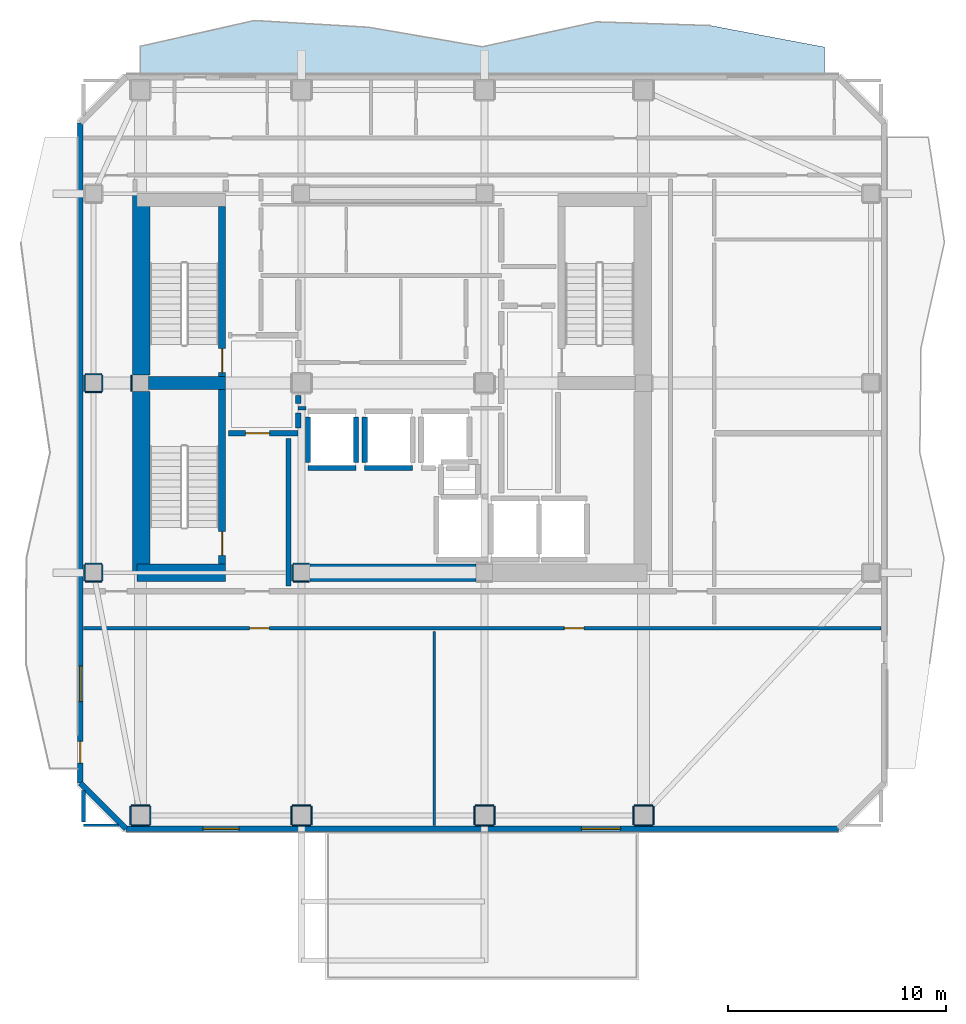
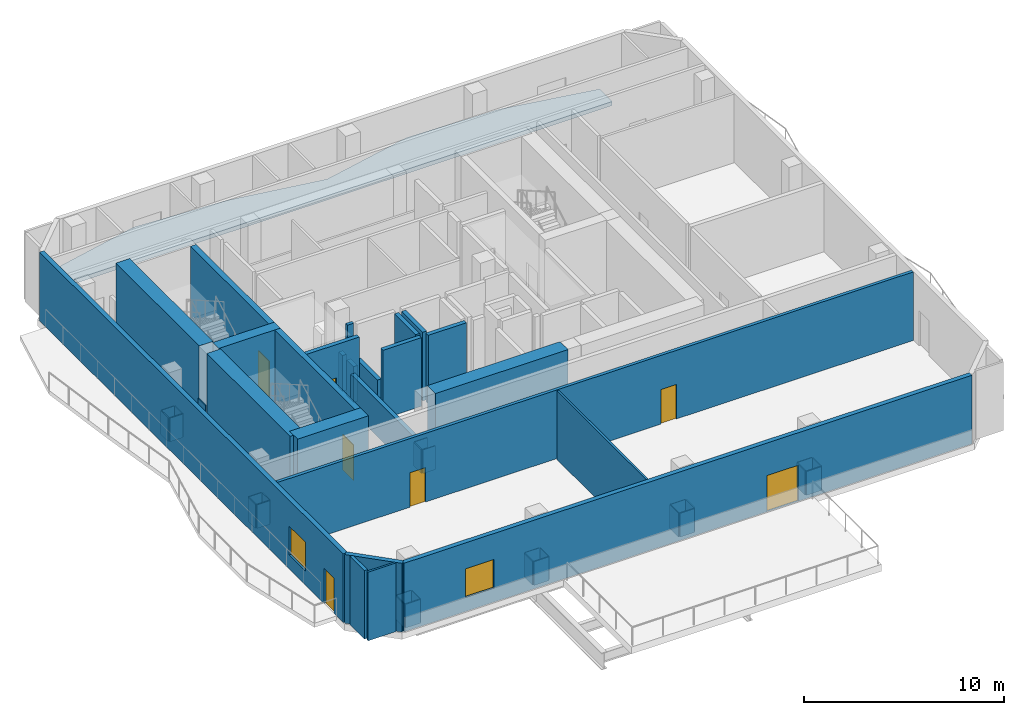
# One storey, part 2 of 10: 52 walls, 7 doors, 2 windows, 1 slab, 9 openings.
"""IFC4 building model written with IfcOpenShell, lengths in metres."""

from ifc_helpers import new_model, si_unit, direction, frame, frame_2d, origin, place, context, subcontext, project, spatial, polyline, rectangle, outline, extrude, material, layer, layer_set, type_object, element, fill, save


model = new_model("IFC4")

# Units and contexts
model_context = context("Model", 3, precision=1e-05, world=origin(), true_north=direction((0.0, 1.0)))
body_context = subcontext(model_context, "Body", "Model", "MODEL_VIEW")
ifc_project = project(units=[si_unit("LENGTHUNIT", "METRE"), si_unit("AREAUNIT", "SQUARE_METRE"), si_unit("VOLUMEUNIT", "CUBIC_METRE"), si_unit("PLANEANGLEUNIT", "RADIAN"), si_unit("MASSUNIT", "GRAM", prefix="KILO")], contexts=[model_context])

# Site, building, storey
site_placement = place(None, origin())
site = spatial("IfcSite", under=ifc_project, at=site_placement, CompositionType="ELEMENT")
building_placement = place(site_placement, origin())
building = spatial("IfcBuilding", under=site, at=building_placement, Name="Solanera Arch Residences", CompositionType="ELEMENT")
storey_placement = place(building_placement, frame((0.0, 0.0, 226.679931640625)))
storey = spatial("IfcBuildingStorey", under=building, at=storey_placement, Name="L66", CompositionType="ELEMENT", Elevation=226.679931640625)

# Slab
ifc_material_1 = material(Name="Concrete C40/50 (f'c = 45 MPa)", Category="concrete")
ifc_layer_1 = layer(ifc_material_1, 0.25)
ifc_layer_set_1 = layer_set([ifc_layer_1], Name="Concrete C40/50 (f'c = 45 MPa)")
slab_type = type_object("IfcSlabType", Name="Balcony Slab 250", PredefinedType="FLOOR", material=ifc_layer_set_1)
slab_placement = place(storey_placement, frame((0.0, 0.0, -0.25)))
element("IfcSlab", 1, at=slab_placement, inside=storey, type_object=slab_type, Name="L66 N Rippling Brise-Soleil Balcony Slab", PredefinedType="FLOOR", context=body_context, shape_type="SweptSolid", body=[
    extrude(outline(polyline([(44.800048828125, 46.132080078125), (39.56689453125, 47.1201171875), (34.3330078125, 47.287109375), (29.10009765625, 46.14404296875), (23.866943359375, 47.0419921875), (18.633056640625, 47.34912109375), (13.39990234375, 46.1650390625), (13.39990234375, 44.8798828125), (44.800048828125, 44.8798828125), (44.800048828125, 46.132080078125)])), origin(), (0.0, 0.0, 1.0), 0.25),
])

# Walls
ifc_material_2 = material(Name="Fire-Rated Gypsum Stud Partition", Category="gypsum")
ifc_layer_2 = layer(ifc_material_2, 0.06005859375)
ifc_layer_set_2 = layer_set([ifc_layer_2], Name="Fire-Rated Gypsum Stud Partition")
wall_type_1 = type_object("IfcWallType", Name="Column Acoustic Furring Wall 60", PredefinedType="PARTITIONING", material=ifc_layer_set_2)
for number, where, z_axis, x_axis, name in (
    (2, (20.425048828125, 21.593017578125, 0.0), (0.0, 0.0, 1.0), (1.0, 0.0, 0.0), "L66 Column Furring 1S"),
    (3, (20.425048828125, 22.406982421875, 0.0), (0.0, 0.0, 1.0), (1.0, 0.0, 0.0), "L66 Column Furring 1N"),
):
    element("IfcWall", number, at=place(storey_placement, frame(where, z_axis=z_axis, x_axis=x_axis)), inside=storey, type_object=wall_type_1, Name=name, PredefinedType="PARTITIONING", context=body_context, shape_type="SweptSolid", body=[
        extrude(rectangle(XDim=0.741943359375, YDim=0.06005859375, at=frame_2d((0.37109375, 0.0))), origin(), (0.0, 0.0, 1.0), 1.449951171875),
    ])
for number, where, z_axis, x_axis, name in (
    (4, (20.39306640625, 21.625, 0.0), (0.0, 0.0, 1.0), (0.0, 1.0, 0.0), "L66 Column Furring 1W"),
    (5, (12.992919921875, 30.324951171875, 0.0), (0.0, 0.0, 1.0), (0.0, 1.0, 0.0), "L66 Column Furring 5W"),
):
    element("IfcWall", number, at=place(storey_placement, frame(where, z_axis=z_axis, x_axis=x_axis)), inside=storey, type_object=wall_type_1, Name=name, PredefinedType="PARTITIONING", context=body_context, shape_type="SweptSolid", body=[
        extrude(rectangle(XDim=0.75, YDim=0.06005859375, at=frame_2d((0.375, 0.0))), origin(), (0.0, 0.0, 1.0), 1.449951171875),
    ])
for number, where, z_axis, x_axis, name in (
    (6, (12.97509765625, 10.39306640625, 0.0), (0.0, 0.0, 1.0), (1.0, 0.0, 0.0), "L66 Column Furring 9S"),
    (7, (12.97509765625, 11.306884765625, 0.0), (0.0, 0.0, 1.0), (1.0, 0.0, 0.0), "L66 Column Furring 9N"),
    (8, (12.943115234375, 10.425048828125, 0.0), (0.0, 0.0, 1.0), (0.0, 1.0, 0.0), "L66 Column Furring 9W"),
    (9, (13.85693359375, 10.425048828125, 0.0), (0.0, 0.0, 1.0), (0.0, 1.0, 0.0), "L66 Column Furring 9E"),
):
    element("IfcWall", number, at=place(storey_placement, frame(where, z_axis=z_axis, x_axis=x_axis)), inside=storey, type_object=wall_type_1, Name=name, PredefinedType="PARTITIONING", context=body_context, shape_type="SweptSolid", body=[
        extrude(rectangle(XDim=0.849853515625, YDim=0.06005859375, at=frame_2d((0.4248046875, 0.0))), origin(), (0.0, 0.0, 1.0), 1.449951171875),
    ])
for number, where, z_axis, x_axis, name in (
    (10, (20.375, 10.39306640625, 0.0), (0.0, 0.0, 1.0), (1.0, 0.0, 0.0), "L66 Column Furring 11S"),
    (11, (20.375, 11.306884765625, 0.0), (0.0, 0.0, 1.0), (1.0, 0.0, 0.0), "L66 Column Furring 11N"),
):
    element("IfcWall", number, at=place(storey_placement, frame(where, z_axis=z_axis, x_axis=x_axis)), inside=storey, type_object=wall_type_1, Name=name, PredefinedType="PARTITIONING", context=body_context, shape_type="SweptSolid", body=[
        extrude(rectangle(XDim=0.85009765625, YDim=0.06005859375, at=frame_2d((0.425048828125, 0.0))), origin(), (0.0, 0.0, 1.0), 1.449951171875),
    ])
for number, where, z_axis, x_axis, name in (
    (12, (20.343017578125, 10.425048828125, 0.0), (0.0, 0.0, 1.0), (0.0, 1.0, 0.0), "L66 Column Furring 11W"),
    (13, (21.257080078125, 10.425048828125, 0.0), (0.0, 0.0, 1.0), (0.0, 1.0, 0.0), "L66 Column Furring 11E"),
):
    element("IfcWall", number, at=place(storey_placement, frame(where, z_axis=z_axis, x_axis=x_axis)), inside=storey, type_object=wall_type_1, Name=name, PredefinedType="PARTITIONING", context=body_context, shape_type="SweptSolid", body=[
        extrude(rectangle(XDim=0.849853515625, YDim=0.06005859375, at=frame_2d((0.4248046875, 0.0))), origin(), (0.0, 0.0, 1.0), 1.449951171875),
    ])
for number, where, z_axis, x_axis, name in (
    (14, (28.77490234375, 10.39306640625, 0.0), (0.0, 0.0, 1.0), (1.0, 0.0, 0.0), "L66 Column Furring 13S"),
    (15, (28.77490234375, 11.306884765625, 0.0), (0.0, 0.0, 1.0), (1.0, 0.0, 0.0), "L66 Column Furring 13N"),
):
    element("IfcWall", number, at=place(storey_placement, frame(where, z_axis=z_axis, x_axis=x_axis)), inside=storey, type_object=wall_type_1, Name=name, PredefinedType="PARTITIONING", context=body_context, shape_type="SweptSolid", body=[
        extrude(rectangle(XDim=0.85009765625, YDim=0.06005859375, at=frame_2d((0.425048828125, 0.0))), origin(), (0.0, 0.0, 1.0), 1.449951171875),
    ])
for number, where, z_axis, x_axis, name in (
    (16, (28.742919921875, 10.425048828125, 0.0), (0.0, 0.0, 1.0), (0.0, 1.0, 0.0), "L66 Column Furring 13W"),
    (17, (29.656982421875, 10.425048828125, 0.0), (0.0, 0.0, 1.0), (0.0, 1.0, 0.0), "L66 Column Furring 13E"),
):
    element("IfcWall", number, at=place(storey_placement, frame(where, z_axis=z_axis, x_axis=x_axis)), inside=storey, type_object=wall_type_1, Name=name, PredefinedType="PARTITIONING", context=body_context, shape_type="SweptSolid", body=[
        extrude(rectangle(XDim=0.849853515625, YDim=0.06005859375, at=frame_2d((0.4248046875, 0.0))), origin(), (0.0, 0.0, 1.0), 1.449951171875),
    ])
for number, where, z_axis, x_axis, name in (
    (18, (36.074951171875, 10.39306640625, 0.0), (0.0, 0.0, 1.0), (1.0, 0.0, 0.0), "L66 Column Furring 15S"),
    (19, (36.074951171875, 11.306884765625, 0.0), (0.0, 0.0, 1.0), (1.0, 0.0, 0.0), "L66 Column Furring 15N"),
):
    element("IfcWall", number, at=place(storey_placement, frame(where, z_axis=z_axis, x_axis=x_axis)), inside=storey, type_object=wall_type_1, Name=name, PredefinedType="PARTITIONING", context=body_context, shape_type="SweptSolid", body=[
        extrude(rectangle(XDim=0.85009765625, YDim=0.06005859375, at=frame_2d((0.425048828125, 0.0))), origin(), (0.0, 0.0, 1.0), 1.449951171875),
    ])
for number, where, z_axis, x_axis, name in (
    (20, (36.04296875, 10.425048828125, 0.0), (0.0, 0.0, 1.0), (0.0, 1.0, 0.0), "L66 Column Furring 15W"),
    (21, (36.95703125, 10.425048828125, 0.0), (0.0, 0.0, 1.0), (0.0, 1.0, 0.0), "L66 Column Furring 15E"),
):
    element("IfcWall", number, at=place(storey_placement, frame(where, z_axis=z_axis, x_axis=x_axis)), inside=storey, type_object=wall_type_1, Name=name, PredefinedType="PARTITIONING", context=body_context, shape_type="SweptSolid", body=[
        extrude(rectangle(XDim=0.849853515625, YDim=0.06005859375, at=frame_2d((0.4248046875, 0.0))), origin(), (0.0, 0.0, 1.0), 1.449951171875),
    ])
for number, where, z_axis, x_axis, name in (
    (22, (10.875, 21.593017578125, 0.0), (0.0, 0.0, 1.0), (1.0, 0.0, 0.0), "L66 Column Furring 17S"),
    (23, (10.875, 22.406982421875, 0.0), (0.0, 0.0, 1.0), (1.0, 0.0, 0.0), "L66 Column Furring 17N"),
    (24, (10.843017578125, 21.625, 0.0), (0.0, 0.0, 1.0), (0.0, 1.0, 0.0), "L66 Column Furring 17W"),
    (25, (11.656982421875, 21.625, 0.0), (0.0, 0.0, 1.0), (0.0, 1.0, 0.0), "L66 Column Furring 17E"),
    (26, (10.875, 30.29296875, 0.0), (0.0, 0.0, 1.0), (1.0, 0.0, 0.0), "L66 Column Furring 19S"),
    (27, (10.875, 31.10693359375, 0.0), (0.0, 0.0, 1.0), (1.0, 0.0, 0.0), "L66 Column Furring 19N"),
    (28, (10.843017578125, 30.324951171875, 0.0), (0.0, 0.0, 1.0), (0.0, 1.0, 0.0), "L66 Column Furring 19W"),
    (29, (11.656982421875, 30.324951171875, 0.0), (0.0, 0.0, 1.0), (0.0, 1.0, 0.0), "L66 Column Furring 19E"),
):
    element("IfcWall", number, at=place(storey_placement, frame(where, z_axis=z_axis, x_axis=x_axis)), inside=storey, type_object=wall_type_1, Name=name, PredefinedType="PARTITIONING", context=body_context, shape_type="SweptSolid", body=[
        extrude(rectangle(XDim=0.75, YDim=0.06005859375, at=frame_2d((0.375, 0.0))), origin(), (0.0, 0.0, 1.0), 1.449951171875),
    ])

# Wall, opening, door
ifc_material_3 = material(Name="Concrete C40/50 (f'c = 45 MPa)", Category="concrete")
ifc_layer_3 = layer(ifc_material_3, 0.320068359375)
ifc_layer_set_3 = layer_set([ifc_layer_3], Name="Concrete C40/50 (f'c = 45 MPa)")
wall_type_2 = type_object("IfcWallType", Name="Core Shear Wall CW-320", PredefinedType="SHEAR", material=ifc_layer_set_3)
wall_1_placement = place(storey_placement, frame((17.159912109375, 31.0, 0.0), z_axis=(0.0, 0.0, 1.0), x_axis=(0.0, 1.0, 0.0)))
wall_1 = element("IfcWall", 30, at=wall_1_placement, inside=storey, type_object=wall_type_2, Name="L66 Stair ST-T1 East Shear Wall", PredefinedType="SHEAR", context=body_context, shape_type="SweptSolid", body=[
    extrude(rectangle(XDim=7.800048828125, YDim=0.320068359375, at=frame_2d((3.89990234375, 0.0))), origin(), (0.0, 0.0, 1.0), 4.60009765625),
])
opening_1_placement = place(wall_1_placement, frame((0.18994140625, 0.0, 0.0)))
opening_1 = element("IfcOpeningElement", 31, at=opening_1_placement, cuts=wall_1, Name="Opening DF-01", PredefinedType="OPENING", context=body_context, shape_type="SweptSolid", body=[
    extrude(rectangle(XDim=1.10009765625, YDim=2.14990234375, at=frame_2d((0.550048828125, 1.074951171875))), frame((0.0, 0.169921875, 0.0), z_axis=(0.0, -1.0, 0.0), x_axis=(1.0, 0.0, 0.0)), (0.0, 0.0, 1.0), 0.3401),
])
ifc_material_4 = material(Name="Fire-Rated Architectural Hardwood", Category="wood")
door_type_1 = type_object("IfcDoorType", Name="Stair Exit Fire Door DF-01", OperationType="NOTDEFINED", PredefinedType="DOOR", material=ifc_material_4)
door_1_placement = place(opening_1_placement, origin())
door_1 = element("IfcDoor", 32, at=door_1_placement, inside=storey, type_object=door_type_1, Name="DR-L66-STAIR-ST-T1", OperationType="SINGLE_SWING_LEFT", OverallHeight=2.14990234375, OverallWidth=1.10009765625, PredefinedType="DOOR", context=body_context, shape_type="SweptSolid", body=[
    extrude(rectangle(XDim=1.10009765625, YDim=2.14990234375, at=frame_2d((0.550048828125, 1.074951171875))), frame((0.0, 0.02490234375, 0.0), z_axis=(0.0, -1.0, 0.0), x_axis=(1.0, 0.0, 0.0)), (0.0, 0.0, 1.0), 0.050048828125),
])
fill(opening_1, door_1)

wall_2_placement = place(storey_placement, frame((17.159912109375, 22.39990234375, 0.0), z_axis=(0.0, 0.0, 1.0), x_axis=(0.0, 1.0, 0.0)))
wall_2 = element("IfcWall", 33, at=wall_2_placement, inside=storey, type_object=wall_type_2, Name="L66 Stair ST-T3 East Shear Wall", PredefinedType="SHEAR", context=body_context, shape_type="SweptSolid", body=[
    extrude(rectangle(XDim=8.0, YDim=0.320068359375, at=frame_2d((4.0, 0.0))), origin(), (0.0, 0.0, 1.0), 4.60009765625),
])
opening_2_placement = place(wall_2_placement, frame((0.389892578125, 0.0, 0.0)))
opening_2 = element("IfcOpeningElement", 34, at=opening_2_placement, cuts=wall_2, Name="Opening DF-01", PredefinedType="OPENING", context=body_context, shape_type="SweptSolid", body=[
    extrude(rectangle(XDim=1.10009765625, YDim=2.14990234375, at=frame_2d((0.550048828125, 1.074951171875))), frame((0.0, 0.169921875, 0.0), z_axis=(0.0, -1.0, 0.0), x_axis=(1.0, 0.0, 0.0)), (0.0, 0.0, 1.0), 0.3401),
])
door_2_placement = place(opening_2_placement, origin())
door_2 = element("IfcDoor", 35, at=door_2_placement, inside=storey, type_object=door_type_1, Name="DR-L66-STAIR-ST-T3", OperationType="SINGLE_SWING_LEFT", OverallHeight=2.14990234375, OverallWidth=1.10009765625, PredefinedType="DOOR", context=body_context, shape_type="SweptSolid", body=[
    extrude(rectangle(XDim=1.10009765625, YDim=2.14990234375, at=frame_2d((0.550048828125, 1.074951171875))), frame((0.0, 0.02490234375, 0.0), z_axis=(0.0, -1.0, 0.0), x_axis=(1.0, 0.0, 0.0)), (0.0, 0.0, 1.0), 0.050048828125),
])
fill(opening_2, door_2)

# Walls
ifc_material_5 = material(Name="Concrete C40/50 (f'c = 45 MPa)", Category="concrete")
ifc_layer_4 = layer(ifc_material_5, 0.60009765625)
ifc_layer_set_4 = layer_set([ifc_layer_4], Name="Concrete C40/50 (f'c = 45 MPa)")
wall_type_3 = type_object("IfcWallType", Name="Core Shear Wall CW-600", PredefinedType="SHEAR", material=ifc_layer_set_4)
wall_3_placement = place(storey_placement, frame((13.780029296875, 30.699951171875, 0.0), z_axis=(0.0, 0.0, 1.0), x_axis=(1.0, 0.0, 0.0)))
element("IfcWall", 36, at=wall_3_placement, inside=storey, type_object=wall_type_3, Name="L66 West Stair Divider Shear Wall", PredefinedType="SHEAR", context=body_context, shape_type="SweptSolid", body=[
    extrude(rectangle(XDim=3.5400390625, YDim=0.60009765625, at=frame_2d((1.77001953125, 0.0))), origin(), (0.0, 0.0, 1.0), 4.60009765625),
])
ifc_material_6 = material(Name="Concrete C40/50 (f'c = 45 MPa)", Category="concrete")
ifc_layer_5 = layer(ifc_material_6, 0.800048828125)
ifc_layer_set_5 = layer_set([ifc_layer_5], Name="Concrete C40/50 (f'c = 45 MPa)")
wall_type_4 = type_object("IfcWallType", Name="Core Shear Wall CW-800", PredefinedType="SHEAR", material=ifc_layer_set_5)
wall_4_placement = place(storey_placement, frame((13.43994140625, 22.0, 0.0), z_axis=(0.0, 0.0, 1.0), x_axis=(0.0, 1.0, 0.0)))
element("IfcWall", 37, at=wall_4_placement, inside=storey, type_object=wall_type_4, Name="L66 West Core South Shear Wall", PredefinedType="SHEAR", context=body_context, shape_type="SweptSolid", body=[
    extrude(rectangle(XDim=8.320068359375, YDim=0.800048828125, at=frame_2d((4.16015625, 0.0))), origin(), (0.0, 0.0, 1.0), 4.60009765625),
])
wall_5_placement = place(storey_placement, frame((13.43994140625, 31.080078125, 0.0), z_axis=(0.0, 0.0, 1.0), x_axis=(0.0, 1.0, 0.0)))
element("IfcWall", 38, at=wall_5_placement, inside=storey, type_object=wall_type_4, Name="L66 West Core North Shear Wall", PredefinedType="SHEAR", context=body_context, shape_type="SweptSolid", body=[
    extrude(rectangle(XDim=8.31982421875, YDim=0.800048828125, at=frame_2d((4.159912109375, 0.0))), origin(), (0.0, 0.0, 1.0), 4.60009765625),
])
wall_6_placement = place(storey_placement, frame((13.239990234375, 22.0, 0.0), z_axis=(0.0, 0.0, 1.0), x_axis=(1.0, 0.0, 0.0)))
element("IfcWall", 39, at=wall_6_placement, inside=storey, type_object=wall_type_4, Name="L66 South-West Core Shear Wall", PredefinedType="SHEAR", context=body_context, shape_type="SweptSolid", body=[
    extrude(rectangle(XDim=4.080078125, YDim=0.800048828125, at=frame_2d((2.0400390625, 0.0))), origin(), (0.0, 0.0, 1.0), 4.60009765625),
])
wall_7_placement = place(storey_placement, frame((21.179931640625, 22.0, 0.0), z_axis=(0.0, 0.0, 1.0), x_axis=(1.0, 0.0, 0.0)))
element("IfcWall", 40, at=wall_7_placement, inside=storey, type_object=wall_type_4, Name="L66 Central South Core Shear Wall", PredefinedType="SHEAR", context=body_context, shape_type="SweptSolid", body=[
    extrude(rectangle(XDim=7.64013671875, YDim=0.800048828125, at=frame_2d((3.820068359375, 0.0))), origin(), (0.0, 0.0, 1.0), 4.60009765625),
])

# Wall, openings, doors
ifc_material_7 = material(Name="Autoclaved Aerated Concrete Blockwork", Category="masonry")
ifc_layer_6 = layer(ifc_material_7, 0.179931640625)
ifc_layer_set_6 = layer_set([ifc_layer_6], Name="Autoclaved Aerated Concrete Blockwork")
wall_type_5 = type_object("IfcWallType", Name="Corridor Fire Partition 180", PredefinedType="PARTITIONING", material=ifc_layer_set_6)
wall_8_placement = place(storey_placement, frame((10.787109375, 19.449951171875, 0.0), z_axis=(0.0, 0.0, 1.0), x_axis=(1.0, 0.0, 0.0)))
wall_8 = element("IfcWall", 41, at=wall_8_placement, inside=storey, type_object=wall_type_5, Name="L66 Interior Partition H7", PredefinedType="PARTITIONING", context=body_context, shape_type="SweptSolid", body=[
    extrude(rectangle(XDim=36.6259765625, YDim=0.179931640625, at=frame_2d((18.31298828125, 0.0))), origin(), (0.0, 0.0, 1.0), 4.18017578125),
])
opening_3_placement = place(wall_8_placement, frame((7.636962890625, 0.0, 0.0)))
opening_3 = element("IfcOpeningElement", 42, at=opening_3_placement, cuts=wall_8, Name="Opening DI-02", PredefinedType="OPENING", context=body_context, shape_type="SweptSolid", body=[
    extrude(rectangle(XDim=0.89990234375, YDim=2.10009765625, at=frame_2d((0.449951171875, 1.050048828125))), frame((0.0, 0.10009765625, 0.0), z_axis=(0.0, -1.0, 0.0), x_axis=(1.0, 0.0, 0.0)), (0.0, 0.0, 1.0), 0.1999),
])
opening_4_placement = place(wall_8_placement, frame((22.077880859375, 0.0, 0.0)))
opening_4 = element("IfcOpeningElement", 43, at=opening_4_placement, cuts=wall_8, Name="Opening DI-02", PredefinedType="OPENING", context=body_context, shape_type="SweptSolid", body=[
    extrude(rectangle(XDim=0.89990234375, YDim=2.10009765625, at=frame_2d((0.449951171875, 1.050048828125))), frame((0.0, 0.10009765625, 0.0), z_axis=(0.0, -1.0, 0.0), x_axis=(1.0, 0.0, 0.0)), (0.0, 0.0, 1.0), 0.1999),
])
ifc_material_8 = material(Name="Fire-Rated Architectural Hardwood", Category="wood")
door_type_2 = type_object("IfcDoorType", Name="Suite Room Swing Door DI-02", OperationType="NOTDEFINED", PredefinedType="DOOR", material=ifc_material_8)
door_3_placement = place(opening_3_placement, origin())
door_3 = element("IfcDoor", 44, at=door_3_placement, inside=storey, type_object=door_type_2, Name="DR-L66-IN-018", OperationType="SINGLE_SWING_RIGHT", OverallHeight=2.10009765625, OverallWidth=0.89990234375, PredefinedType="DOOR", context=body_context, shape_type="SweptSolid", body=[
    extrude(rectangle(XDim=0.89990234375, YDim=2.10009765625, at=frame_2d((0.449951171875, 1.050048828125))), frame((0.0, 0.02490234375, 0.0), z_axis=(0.0, -1.0, 0.0), x_axis=(1.0, 0.0, 0.0)), (0.0, 0.0, 1.0), 0.050048828125),
])
fill(opening_3, door_3)
door_4_placement = place(opening_4_placement, origin())
door_4 = element("IfcDoor", 45, at=door_4_placement, inside=storey, type_object=door_type_2, Name="DR-L66-IN-019", OperationType="SINGLE_SWING_LEFT", OverallHeight=2.10009765625, OverallWidth=0.89990234375, PredefinedType="DOOR", context=body_context, shape_type="SweptSolid", body=[
    extrude(rectangle(XDim=0.89990234375, YDim=2.10009765625, at=frame_2d((0.449951171875, 1.050048828125))), frame((0.0, 0.02490234375, 0.0), z_axis=(0.0, -1.0, 0.0), x_axis=(1.0, 0.0, 0.0)), (0.0, 0.0, 1.0), 0.050048828125),
])
fill(opening_4, door_4)

# Walls
wall_9_placement = place(storey_placement, frame((20.64990234375, 29.550048828125, 0.0), z_axis=(0.0, 0.0, 1.0), x_axis=(1.0, 0.0, 0.0)))
element("IfcWall", 46, at=wall_9_placement, inside=storey, type_object=wall_type_5, Name="L66 Interior Partition H8 1", PredefinedType="PARTITIONING", context=body_context, shape_type="SweptSolid", body=[
    extrude(rectangle(XDim=0.357177734375, YDim=0.179931640625, at=frame_2d((0.1787109375, 0.0))), origin(), (0.0, 0.0, 1.0), 4.18017578125),
])
wall_10_placement = place(storey_placement, frame((10.800048828125, 10.55810546875, 0.0), z_axis=(0.0, 0.0, 1.0), x_axis=(0.0, 1.0, 0.0)))
element("IfcWall", 47, at=wall_10_placement, inside=storey, type_object=wall_type_5, Name="L66 Interior Partition V6 1", PredefinedType="PARTITIONING", context=body_context, shape_type="SweptSolid", body=[
    extrude(rectangle(XDim=1.430908203125, YDim=0.179931640625, at=frame_2d((0.71533203125, 0.0))), origin(), (0.0, 0.0, 1.0), 4.18017578125),
])

# Wall, openings, door, window
ifc_material_9 = material(Name="Precast Concrete C35/45", Category="concrete")
ifc_layer_7 = layer(ifc_material_9, 0.260009765625)
ifc_layer_set_7 = layer_set([ifc_layer_7], Name="Precast Concrete C35/45")
wall_type_6 = type_object("IfcWallType", Name="Exterior Wall Precast Masonry-Frame 260", PredefinedType="STANDARD", material=ifc_layer_set_7)
wall_11_placement = place(storey_placement, frame((10.64501953125, 12.344970703125, 0.0), z_axis=(0.0, 0.0, 1.0), x_axis=(0.0, 1.0, 0.0)))
wall_11 = element("IfcWall", 48, at=wall_11_placement, inside=storey, type_object=wall_type_6, Name="L66 Tower Exterior Precast Masonry-Frame Wall W", PredefinedType="STANDARD", context=body_context, shape_type="SweptSolid", body=[
    extrude(rectangle(XDim=30.31005859375, YDim=0.260009765625, at=frame_2d((15.155029296875, 0.0))), origin(), (0.0, 0.0, 1.0), 4.18017578125),
])
opening_5_placement = place(wall_11_placement, frame((0.909912109375, 0.0, 0.0)))
opening_5 = element("IfcOpeningElement", 49, at=opening_5_placement, cuts=wall_11, Name="Opening DB-01", PredefinedType="OPENING", context=body_context, shape_type="SweptSolid", body=[
    extrude(rectangle(XDim=1.0, YDim=2.14990234375, at=frame_2d((0.5, 1.074951171875))), frame((0.0, 0.139892578125, 0.0), z_axis=(0.0, -1.0, 0.0), x_axis=(1.0, 0.0, 0.0)), (0.0, 0.0, 1.0), 0.28),
])
opening_6_placement = place(wall_11_placement, frame((3.73193359375, 0.0, 0.85009765625)))
opening_6 = element("IfcOpeningElement", 50, at=opening_6_placement, cuts=wall_11, Name="Opening W-08", PredefinedType="OPENING", context=body_context, shape_type="SweptSolid", body=[
    extrude(rectangle(XDim=1.64990234375, YDim=1.75, at=frame_2d((0.824951171875, 0.875))), frame((0.0, 0.139892578125, 0.0), z_axis=(0.0, -1.0, 0.0), x_axis=(1.0, 0.0, 0.0)), (0.0, 0.0, 1.0), 0.28),
])
ifc_material_10 = material(Name="Anodised Aluminium Alloy 6063-T6", Category="aluminium")
door_type_3 = type_object("IfcDoorType", Name="Glazed Balcony Swing Door DB-01", OperationType="NOTDEFINED", PredefinedType="DOOR", material=ifc_material_10)
door_5_placement = place(opening_5_placement, origin())
door_5 = element("IfcDoor", 51, at=door_5_placement, inside=storey, type_object=door_type_3, Name="DR-L66-OUT-03", OperationType="SINGLE_SWING_RIGHT", OverallHeight=2.14990234375, OverallWidth=1.0, PredefinedType="DOOR", context=body_context, shape_type="SweptSolid", body=[
    extrude(rectangle(XDim=1.0, YDim=2.14990234375, at=frame_2d((0.5, 1.074951171875))), frame((0.0, 0.02490234375, 0.0), z_axis=(0.0, -1.0, 0.0), x_axis=(1.0, 0.0, 0.0)), (0.0, 0.0, 1.0), 0.050048828125),
])
fill(opening_5, door_5)
ifc_material_11 = material(Name="Double Glazed Low-E Laminated Glass", Category="glass")
window_type = type_object("IfcWindowType", Name="Punched Window W-08", PartitioningType="DOUBLE_PANEL_HORIZONTAL", PredefinedType="WINDOW", material=ifc_material_11)
window_1_placement = place(opening_6_placement, origin())
window_1 = element("IfcWindow", 52, at=window_1_placement, inside=storey, type_object=window_type, Name="L66 POOL-L Punched Window", OverallHeight=1.75, OverallWidth=1.64990234375, PartitioningType="SINGLE_PANEL", PredefinedType="WINDOW", context=body_context, shape_type="SweptSolid", body=[
    extrude(rectangle(XDim=1.64990234375, YDim=1.75, at=frame_2d((0.824951171875, 0.875))), frame((0.0, 0.030029296875, 0.0), z_axis=(0.0, -1.0, 0.0), x_axis=(1.0, 0.0, 0.0)), (0.0, 0.0, 1.0), 0.06005859375),
])
fill(opening_6, window_1)

# Wall, openings, window, door
wall_12_placement = place(storey_placement, frame((45.455078125, 10.2451171875, 0.0), z_axis=(0.0, 0.0, 1.0), x_axis=(-1.0, 0.0, 0.0)))
wall_12 = element("IfcWall", 53, at=wall_12_placement, inside=storey, type_object=wall_type_6, Name="L66 Tower Exterior Precast Masonry-Frame Wall S", PredefinedType="STANDARD", context=body_context, shape_type="SweptSolid", body=[
    extrude(rectangle(XDim=32.7099609375, YDim=0.260009765625, at=frame_2d((16.35498046875, 0.0))), origin(), (0.0, 0.0, 1.0), 4.18017578125),
])
opening_7_placement = place(wall_12_placement, frame((10.0029296875, 0.0, 0.0)))
opening_7 = element("IfcOpeningElement", 54, at=opening_7_placement, cuts=wall_12, Name="Opening DB-03", PredefinedType="OPENING", context=body_context, shape_type="SweptSolid", body=[
    extrude(rectangle(XDim=1.800048828125, YDim=2.199951171875, at=frame_2d((0.89990234375, 1.10009765625))), frame((0.0, 0.139892578125, 0.0), z_axis=(0.0, -1.0, 0.0), x_axis=(1.0, 0.0, 0.0)), (0.0, 0.0, 1.0), 0.28),
])
opening_8_placement = place(wall_12_placement, frame((27.530029296875, 0.0, 0.85009765625)))
opening_8 = element("IfcOpeningElement", 55, at=opening_8_placement, cuts=wall_12, Name="Opening W-08", PredefinedType="OPENING", context=body_context, shape_type="SweptSolid", body=[
    extrude(rectangle(XDim=1.64990234375, YDim=1.75, at=frame_2d((0.824951171875, 0.875))), frame((0.0, 0.139892578125, 0.0), z_axis=(0.0, -1.0, 0.0), x_axis=(1.0, 0.0, 0.0)), (0.0, 0.0, 1.0), 0.28),
])
window_2_placement = place(opening_8_placement, origin())
window_2 = element("IfcWindow", 56, at=window_2_placement, inside=storey, type_object=window_type, Name="L66 POOL-L Punched Window", OverallHeight=1.75, OverallWidth=1.64990234375, PartitioningType="SINGLE_PANEL", PredefinedType="WINDOW", context=body_context, shape_type="SweptSolid", body=[
    extrude(rectangle(XDim=1.64990234375, YDim=1.75, at=frame_2d((0.824951171875, 0.875))), frame((0.0, 0.030029296875, 0.0), z_axis=(0.0, -1.0, 0.0), x_axis=(1.0, 0.0, 0.0)), (0.0, 0.0, 1.0), 0.06005859375),
])
fill(opening_8, window_2)
ifc_material_12 = material(Name="Anodised Aluminium Alloy 6063-T6", Category="aluminium")
door_type_4 = type_object("IfcDoorType", Name="Sky-Pool Promenade Double Door DB-03", OperationType="NOTDEFINED", PredefinedType="DOOR", material=ifc_material_12)
door_6_placement = place(opening_7_placement, origin())
door_6 = element("IfcDoor", 57, at=door_6_placement, inside=storey, type_object=door_type_4, Name="DR-L66-OUT-04", OperationType="DOUBLE_DOOR_SINGLE_SWING", OverallHeight=2.199951171875, OverallWidth=1.800048828125, PredefinedType="DOOR", context=body_context, shape_type="SweptSolid", body=[
    extrude(rectangle(XDim=1.800048828125, YDim=2.199951171875, at=frame_2d((0.89990234375, 1.10009765625))), frame((0.0, 0.02490234375, 0.0), z_axis=(0.0, -1.0, 0.0), x_axis=(1.0, 0.0, 0.0)), (0.0, 0.0, 1.0), 0.050048828125),
])
fill(opening_7, door_6)

# Walls
wall_13_placement = place(storey_placement, frame((12.7451171875, 10.2451171875, 0.0), z_axis=(0.0, 0.0, 1.0), x_axis=(-0.707147883682, 0.707065676302, 0.0)))
element("IfcWall", 58, at=wall_13_placement, inside=storey, type_object=wall_type_6, Name="L66 Tower Exterior Precast Masonry-Frame Wall CH7", PredefinedType="STANDARD", context=body_context, shape_type="SweptSolid", body=[
    extrude(rectangle(XDim=2.9697265625, YDim=0.260009765625, at=frame_2d((1.48486328125, 0.0))), origin(), (0.0, 0.0, 1.0), 4.18017578125),
])
ifc_material_13 = material(Name="Autoclaved Aerated Concrete Blockwork", Category="masonry")
ifc_layer_8 = layer(ifc_material_13, 0.239990234375)
ifc_layer_set_8 = layer_set([ifc_layer_8], Name="Autoclaved Aerated Concrete Blockwork")
wall_type_7 = type_object("IfcWallType", Name="Shaft Wall Fire-Rated 240", PredefinedType="PARTITIONING", material=ifc_layer_set_8)
wall_14_placement = place(storey_placement, frame((21.10009765625, 26.800048828125, 0.0), z_axis=(0.0, 0.0, 1.0), x_axis=(1.0, 0.0, 0.0)))
element("IfcWall", 59, at=wall_14_placement, inside=storey, type_object=wall_type_7, Name="L66 Lift PL-H1 Hoistway Wall S", PredefinedType="PARTITIONING", context=body_context, shape_type="SweptSolid", body=[
    extrude(rectangle(XDim=2.199951171875, YDim=0.239990234375, at=frame_2d((1.10009765625, 0.0))), origin(), (0.0, 0.0, 1.0), 4.18017578125),
])
wall_15_placement = place(storey_placement, frame((21.10009765625, 27.048095703125, 0.0), z_axis=(0.0, 0.0, 1.0), x_axis=(0.0, 1.0, 0.0)))
element("IfcWall", 60, at=wall_15_placement, inside=storey, type_object=wall_type_7, Name="L66 Lift PL-H1 Hoistway Wall W", PredefinedType="PARTITIONING", context=body_context, shape_type="SweptSolid", body=[
    extrude(rectangle(XDim=2.10400390625, YDim=0.239990234375, at=frame_2d((1.052001953125, 0.0))), origin(), (0.0, 0.0, 1.0), 2.18505859375),
])
wall_16_placement = place(storey_placement, frame((23.300048828125, 27.048095703125, 0.0), z_axis=(0.0, 0.0, 1.0), x_axis=(0.0, 1.0, 0.0)))
element("IfcWall", 61, at=wall_16_placement, inside=storey, type_object=wall_type_7, Name="L66 Lift PL-H1 Hoistway Wall E", PredefinedType="PARTITIONING", context=body_context, shape_type="SweptSolid", body=[
    extrude(rectangle(XDim=2.10400390625, YDim=0.239990234375, at=frame_2d((1.052001953125, 0.0))), origin(), (0.0, 0.0, 1.0), 4.18017578125),
])
wall_17_placement = place(storey_placement, frame((23.699951171875, 26.800048828125, 0.0), z_axis=(0.0, 0.0, 1.0), x_axis=(1.0, 0.0, 0.0)))
element("IfcWall", 62, at=wall_17_placement, inside=storey, type_object=wall_type_7, Name="L66 Lift PL-H2 Hoistway Wall S", PredefinedType="PARTITIONING", context=body_context, shape_type="SweptSolid", body=[
    extrude(rectangle(XDim=2.199951171875, YDim=0.239990234375, at=frame_2d((1.10009765625, 0.0))), origin(), (0.0, 0.0, 1.0), 4.18017578125),
])
wall_18_placement = place(storey_placement, frame((23.699951171875, 27.048095703125, 0.0), z_axis=(0.0, 0.0, 1.0), x_axis=(0.0, 1.0, 0.0)))
element("IfcWall", 63, at=wall_18_placement, inside=storey, type_object=wall_type_7, Name="L66 Lift PL-H2 Hoistway Wall W", PredefinedType="PARTITIONING", context=body_context, shape_type="SweptSolid", body=[
    extrude(rectangle(XDim=2.10400390625, YDim=0.239990234375, at=frame_2d((1.052001953125, 0.0))), origin(), (0.0, 0.0, 1.0), 4.18017578125),
])

# Wall, opening, door
wall_19_placement = place(storey_placement, frame((17.449951171875, 28.39990234375, 0.0), z_axis=(0.0, 0.0, 1.0), x_axis=(1.0, 0.0, 0.0)))
wall_19 = element("IfcWall", 64, at=wall_19_placement, inside=storey, type_object=wall_type_7, Name="L66 Interior Partition H3", PredefinedType="PARTITIONING", context=body_context, shape_type="SweptSolid", body=[
    extrude(rectangle(XDim=3.199951171875, YDim=0.239990234375, at=frame_2d((1.60009765625, 0.0))), origin(), (0.0, 0.0, 1.0), 4.18017578125),
])
opening_9_placement = place(wall_19_placement, frame((0.783935546875, 0.0, 0.0)))
opening_9 = element("IfcOpeningElement", 65, at=opening_9_placement, cuts=wall_19, Name="Opening DF-02", PredefinedType="OPENING", context=body_context, shape_type="SweptSolid", body=[
    extrude(rectangle(XDim=1.10009765625, YDim=2.14990234375, at=frame_2d((0.550048828125, 1.074951171875))), frame((0.0, 0.1298828125, 0.0), z_axis=(0.0, -1.0, 0.0), x_axis=(1.0, 0.0, 0.0)), (0.0, 0.0, 1.0), 0.26),
])
ifc_material_14 = material(Name="Fire-Rated Architectural Hardwood", Category="wood")
door_type_5 = type_object("IfcDoorType", Name="Firefighting Lobby Fire Door DF-02", OperationType="NOTDEFINED", PredefinedType="DOOR", material=ifc_material_14)
door_7_placement = place(opening_9_placement, origin())
door_7 = element("IfcDoor", 66, at=door_7_placement, inside=storey, type_object=door_type_5, Name="DR-L66-IN-004", OperationType="SINGLE_SWING_RIGHT", OverallHeight=2.14990234375, OverallWidth=1.10009765625, PredefinedType="DOOR", context=body_context, shape_type="SweptSolid", body=[
    extrude(rectangle(XDim=1.10009765625, YDim=2.14990234375, at=frame_2d((0.550048828125, 1.074951171875))), frame((0.0, 0.02490234375, 0.0), z_axis=(0.0, -1.0, 0.0), x_axis=(1.0, 0.0, 0.0)), (0.0, 0.0, 1.0), 0.050048828125),
])
fill(opening_9, door_7)

# Walls
wall_20_placement = place(storey_placement, frame((20.199951171875, 21.39794921875, 0.0), z_axis=(0.0, 0.0, 1.0), x_axis=(0.0, 1.0, 0.0)))
element("IfcWall", 67, at=wall_20_placement, inside=storey, type_object=wall_type_7, Name="L66 Interior Partition V2", PredefinedType="PARTITIONING", context=body_context, shape_type="SweptSolid", body=[
    extrude(rectangle(XDim=6.754150390625, YDim=0.239990234375, at=frame_2d((3.376953125, 0.0))), origin(), (0.0, 0.0, 1.0), 2.18505859375),
])
wall_21_placement = place(storey_placement, frame((20.64990234375, 28.64794921875, 0.0), z_axis=(0.0, 0.0, 1.0), x_axis=(0.0, 1.0, 0.0)))
element("IfcWall", 68, at=wall_21_placement, inside=storey, type_object=wall_type_7, Name="L66 Interior Partition V3 1", PredefinedType="PARTITIONING", context=body_context, shape_type="SweptSolid", body=[
    extrude(rectangle(XDim=0.68408203125, YDim=0.239990234375, at=frame_2d((0.342041015625, 0.0))), origin(), (0.0, 0.0, 1.0), 2.18505859375),
])
wall_22_placement = place(storey_placement, frame((20.64990234375, 29.76806640625, 0.0), z_axis=(0.0, 0.0, 1.0), x_axis=(0.0, 1.0, 0.0)))
element("IfcWall", 69, at=wall_22_placement, inside=storey, type_object=wall_type_7, Name="L66 Interior Partition V3 2", PredefinedType="PARTITIONING", context=body_context, shape_type="SweptSolid", body=[
    extrude(rectangle(XDim=0.375, YDim=0.239990234375, at=frame_2d((0.1875, 0.0))), origin(), (0.0, 0.0, 1.0), 2.18505859375),
])
ifc_material_15 = material(Name="Fire-Rated Gypsum Stud Partition", Category="gypsum")
ifc_layer_9 = layer(ifc_material_15, 0.1201171875)
ifc_layer_set_9 = layer_set([ifc_layer_9], Name="Fire-Rated Gypsum Stud Partition")
wall_type_8 = type_object("IfcWallType", Name="Unit Drywall Partition 120", PredefinedType="PARTITIONING", material=ifc_layer_set_9)
wall_23_placement = place(storey_placement, frame((10.800048828125, 10.39990234375, 0.0), z_axis=(0.0, 0.0, 1.0), x_axis=(1.0, 0.0, 0.0)))
element("IfcWall", 70, at=wall_23_placement, inside=storey, type_object=wall_type_8, Name="L66 Interior Partition H16 1", PredefinedType="PARTITIONING", context=body_context, shape_type="SweptSolid", body=[
    extrude(rectangle(XDim=1.5888671875, YDim=0.1201171875, at=frame_2d((0.79443359375, 0.0))), origin(), (0.0, 0.0, 1.0), 4.18017578125),
])
wall_24_placement = place(storey_placement, frame((26.89990234375, 10.386962890625, 0.0), z_axis=(0.0, 0.0, 1.0), x_axis=(0.0, 1.0, 0.0)))
element("IfcWall", 71, at=wall_24_placement, inside=storey, type_object=wall_type_8, Name="L66 Interior Partition V20", PredefinedType="PARTITIONING", context=body_context, shape_type="SweptSolid", body=[
    extrude(rectangle(XDim=8.905029296875, YDim=0.1201171875, at=frame_2d((4.45263671875, 0.0))), origin(), (0.0, 0.0, 1.0), 4.18017578125),
])

save(model, "model.ifc")
